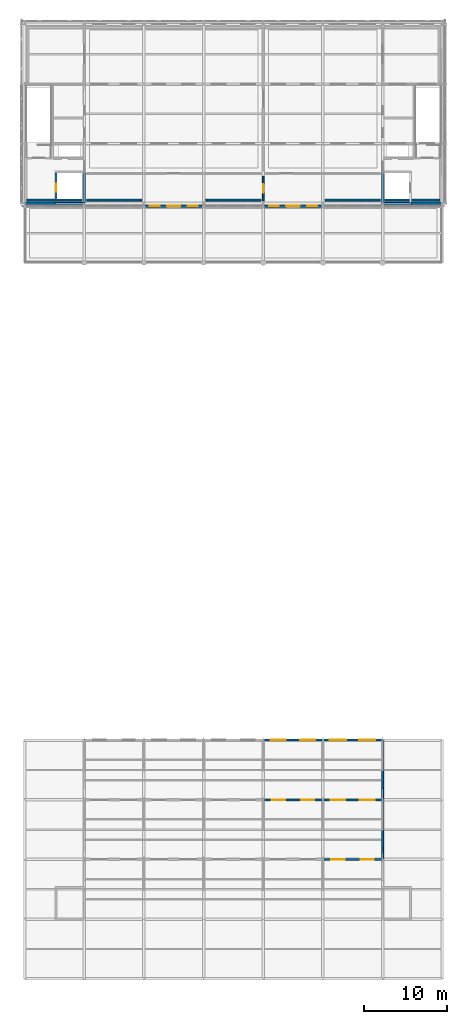
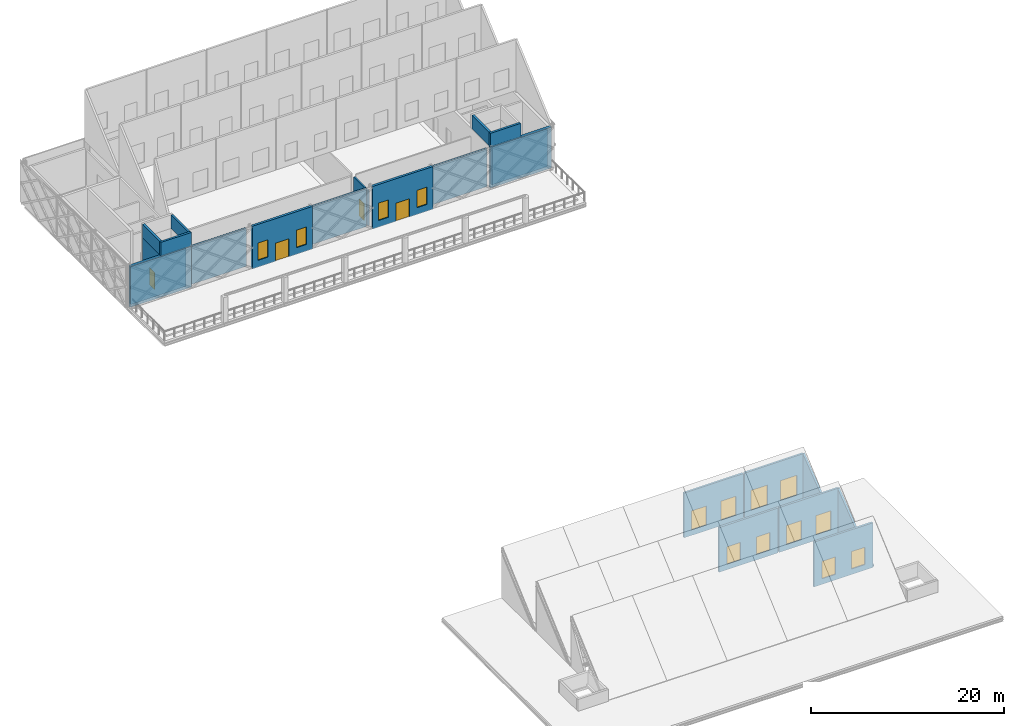
# One storey, part 26 of 31: 23 walls, 14 windows, 4 doors, 18 openings.
"""IFC4 building model written with IfcOpenShell, lengths in metres."""

import ifcopenshell
import ifcopenshell.guid

model = None  # the IFC model being written
_history = None  # IfcOwnerHistory: only IFC2X3 demands one
_inside = {}  # id of a spatial element -> (the spatial element, [elements in it])
_under = {}  # id of a project, library or spatial element -> (it, [spatial elements below it])
_declared = {}  # id of a project -> (the project, [libraries it declares])
_typed = {}  # id of a type object -> (the type object, [elements of that type])
_made_of = {}  # id of a material, layer set ... -> (it, [elements and type objects made of it])


def new_model(schema):
    """Start an empty IFC model of exactly this schema.

    Asked for "IFC4X3", IfcOpenShell would pick the latest addendum, in which some entities
    have other attributes; the version numbers below select the first issue.
    IFC2X3 requires an IfcOwnerHistory on every rooted entity: one is made here for all.
    """
    global model, _history
    if schema == "IFC4X3":
        model = ifcopenshell.file(schema_version=(4, 3, 0, 0))
    else:
        model = ifcopenshell.file(schema=schema)
    _inside.clear()
    _under.clear()
    _declared.clear()
    _typed.clear()
    _made_of.clear()
    _history = None
    if model.schema == "IFC2X3":
        org = make("IfcOrganization", Name="unknown")
        user = make(
            "IfcPersonAndOrganization",
            ThePerson=make("IfcPerson", FamilyName="unknown"),
            TheOrganization=org,
        )
        app = make(
            "IfcApplication",
            ApplicationDeveloper=org,
            Version="unknown",
            ApplicationFullName="unknown",
            ApplicationIdentifier="unknown",
        )
        _history = make(
            "IfcOwnerHistory",
            OwningUser=user,
            OwningApplication=app,
            ChangeAction="ADDED",
            CreationDate=0,
        )
    return model


def make(cls, **values):
    """One entity of the class cls with the attributes given. An attribute that is None is left unset."""
    return model.create_entity(
        cls, **{name: value for name, value in values.items() if value is not None}
    )


def rooted(cls, **values):
    """An entity with a GlobalId (a new one), such as an element, a storey or a relation."""
    return make(cls, GlobalId=ifcopenshell.guid.new(), OwnerHistory=_history, **values)


def si_unit(unit_type, name, prefix=None):
    """IfcSIUnit, for example si_unit("LENGTHUNIT", "METRE", prefix="MILLI")."""
    return make("IfcSIUnit", UnitType=unit_type, Prefix=prefix, Name=name)


def assignment(units):
    """IfcUnitAssignment: the units of a project."""
    return None if units is None else make("IfcUnitAssignment", Units=units)


def point(xyz):
    """IfcCartesianPoint."""
    return None if xyz is None else make("IfcCartesianPoint", Coordinates=xyz)


def direction(xyz):
    """IfcDirection."""
    return None if xyz is None else make("IfcDirection", DirectionRatios=xyz)


def frame(location, z_axis=None, x_axis=None):
    """IfcAxis2Placement3D, a coordinate frame: its origin and axes. An axis left out is left unset."""
    return make(
        "IfcAxis2Placement3D",
        Location=point(location),
        Axis=direction(z_axis),
        RefDirection=direction(x_axis),
    )


def frame_2d(location, x_axis=None):
    """IfcAxis2Placement2D, a coordinate frame in the plane: its origin and x axis."""
    return make(
        "IfcAxis2Placement2D", Location=point(location), RefDirection=direction(x_axis)
    )


def origin():
    """The frame at (0, 0, 0) with its axes left unset."""
    return frame((0.0, 0.0, 0.0))


def place(relative_to, where):
    """IfcLocalPlacement: puts the frame where relative to a parent placement (None: the world)."""
    return make(
        "IfcLocalPlacement", PlacementRelTo=relative_to, RelativePlacement=where
    )


def context(
    kind, dimensions, precision=None, world=None, true_north=None, identifier=None
):
    """IfcGeometricRepresentationContext, for example the 3D "Model" context."""
    return make(
        "IfcGeometricRepresentationContext",
        ContextIdentifier=identifier,
        ContextType=kind,
        CoordinateSpaceDimension=dimensions,
        Precision=precision,
        WorldCoordinateSystem=world,
        TrueNorth=true_north,
    )


def subcontext(parent, identifier, kind, view, scale=None):
    """IfcGeometricRepresentationSubContext, for example "Body" below "Model"."""
    return make(
        "IfcGeometricRepresentationSubContext",
        ContextIdentifier=identifier,
        ContextType=kind,
        ParentContext=parent,
        TargetScale=scale,
        TargetView=view,
    )


def project(units=None, contexts=None):
    """IfcProject with its units and contexts."""
    return rooted(
        "IfcProject",
        Name="project",
        RepresentationContexts=contexts,
        UnitsInContext=assignment(units),
    )


def spatial(cls, under=None, at=None, **own):
    """A site, building, storey or space (cls), placed at a placement, below another one or the project."""
    s = rooted(cls, ObjectPlacement=at, **own)
    if under is not None:
        _under.setdefault(under.id(), (under, []))[1].append(s)
    return s


def polyline(points):
    """IfcPolyline through the points."""
    return make("IfcPolyline", Points=[point(p) for p in points])


def profile(cls, at=None, kind="AREA", **sizes):
    """A parametric profile (cls). Its sizes go by their IFC names, for example OverallWidth=200.0."""
    return make(cls, ProfileType=kind, Position=at, **sizes)


def rectangle(**sizes):
    """IfcRectangleProfileDef."""
    return profile("IfcRectangleProfileDef", **sizes)


def outline(outer, holes=None, kind="AREA"):
    """IfcArbitraryClosedProfileDef: a profile drawn as a closed curve; with holes, ...WithVoids."""
    if holes is None:
        return make("IfcArbitraryClosedProfileDef", ProfileType=kind, OuterCurve=outer)
    return make(
        "IfcArbitraryProfileDefWithVoids",
        ProfileType=kind,
        OuterCurve=outer,
        InnerCurves=holes,
    )


def extrude(swept, where, along, depth):
    """IfcExtrudedAreaSolid: the profile swept, set in the frame where, extruded along a direction by depth."""
    return make(
        "IfcExtrudedAreaSolid",
        SweptArea=swept,
        Position=where,
        ExtrudedDirection=direction(along),
        Depth=depth,
    )


def shape(context_of_items, identifier, shape_type, items):
    """IfcShapeRepresentation: the items that make up one representation, for example the "Body"."""
    return make(
        "IfcShapeRepresentation",
        ContextOfItems=context_of_items,
        RepresentationIdentifier=identifier,
        RepresentationType=shape_type,
        Items=items,
    )


def material(Name=None, Category=None):
    """IfcMaterial."""
    return make("IfcMaterial", Name=Name, Category=Category)


def layer(
    of_material, thickness, ventilated=None, Name=None, Category=None, Priority=None
):
    """IfcMaterialLayer: one layer of a wall or slab, of a material (None: an air gap)."""
    return make(
        "IfcMaterialLayer",
        Material=of_material,
        LayerThickness=thickness,
        IsVentilated=ventilated,
        Name=Name,
        Category=Category,
        Priority=Priority,
    )


def layer_set(layers, Name=None):
    """IfcMaterialLayerSet."""
    return make("IfcMaterialLayerSet", MaterialLayers=layers, LayerSetName=Name)


def made_of(thing, what):
    """Note that an element or type object is made of a material, layer set ...; save() writes the relation."""
    if what is not None:
        _made_of.setdefault(what.id(), (what, []))[1].append(thing)
    return thing


def type_object(cls, material=None, **own):
    """A type object (cls), such as IfcWallType, which elements share."""
    return made_of(rooted(cls, **own), material)


def element(
    cls,
    number,
    at=None,
    inside=None,
    cuts=None,
    type_object=None,
    material=None,
    context=None,
    identifier="Body",
    shape_type=None,
    held_by="IfcProductDefinitionShape",
    body=None,
    shapes=None,
    **own,
):
    """One element of the class cls, such as IfcWall. Its Tag is "e" and its number.

    at: its placement. inside: the storey or other place that contains it. cuts: it is an
    opening in that element (IfcRelVoidsElement). A single representation is given by context,
    identifier, shape_type and body (its items); several are given by shapes. held_by: the class
    of the entity that holds the representations. save() writes the other relations.
    """
    e = rooted(cls, Tag="e%d" % number, ObjectPlacement=at, **own)
    if body is not None:
        shapes = [shape(context, identifier, shape_type, body)]
    if shapes is not None:
        e.Representation = make(held_by, Representations=shapes)
    if inside is not None:
        _inside.setdefault(inside.id(), (inside, []))[1].append(e)
    if cuts is not None:
        rooted(
            "IfcRelVoidsElement", RelatingBuildingElement=cuts, RelatedOpeningElement=e
        )
    if type_object is not None:
        _typed.setdefault(type_object.id(), (type_object, []))[1].append(e)
    return made_of(e, material)


def fill(opening, filler):
    """IfcRelFillsElement: the door or window that sits in an opening."""
    return rooted(
        "IfcRelFillsElement",
        RelatingOpeningElement=opening,
        RelatedBuildingElement=filler,
    )


def aggregate(whole, parts):
    """IfcRelAggregates: a whole, such as a stair, and the parts it consists of."""
    return rooted("IfcRelAggregates", RelatingObject=whole, RelatedObjects=parts)


def save(model, path):
    """Write the relations noted so far, then the file.

    IfcRelAggregates (storeys below a building ...), IfcRelContainedInSpatialStructure (elements
    in a storey), IfcRelDefinesByType, IfcRelAssociatesMaterial and IfcRelDeclares: one each for
    every whole, place, type object, material and project.
    """
    for whole, parts in _under.values():
        aggregate(whole, parts)
    for where, things in _inside.values():
        rooted(
            "IfcRelContainedInSpatialStructure",
            RelatedElements=things,
            RelatingStructure=where,
        )
    for kind, things in _typed.values():
        rooted("IfcRelDefinesByType", RelatedObjects=things, RelatingType=kind)
    for what, things in _made_of.values():
        rooted("IfcRelAssociatesMaterial", RelatedObjects=things, RelatingMaterial=what)
    for by, libraries in _declared.values():
        rooted("IfcRelDeclares", RelatingContext=by, RelatedDefinitions=libraries)
    model.write(path)


model = new_model("IFC4")

# Units and contexts
model_context = context("Model", 3, precision=1e-05, world=origin(), true_north=direction((0.0, 1.0)))
body_context = subcontext(model_context, "Body", "Model", "MODEL_VIEW")
ifc_project = project(units=[si_unit("LENGTHUNIT", "METRE"), si_unit("AREAUNIT", "SQUARE_METRE"), si_unit("VOLUMEUNIT", "CUBIC_METRE"), si_unit("PLANEANGLEUNIT", "RADIAN"), si_unit("MASSUNIT", "GRAM", prefix="KILO")], contexts=[model_context])

# Site, building, storey
site_placement = place(None, origin())
site = spatial("IfcSite", under=ifc_project, at=site_placement, CompositionType="ELEMENT")
building_placement = place(site_placement, origin())
building = spatial("IfcBuilding", under=site, at=building_placement, Name="Zlatovets Crest Museum", CompositionType="ELEMENT")
storey_placement = place(building_placement, frame((0.0, 0.0, 25.199951171875)))
storey = spatial("IfcBuildingStorey", under=building, at=storey_placement, Name="L05", CompositionType="ELEMENT", Elevation=25.199951171875)

# Walls
ifc_material_1 = material(Name="Concrete C35/45", Category="concrete")
ifc_layer_1 = layer(ifc_material_1, 0.300048828125)
ifc_layer_set_1 = layer_set([ifc_layer_1], Name="Concrete C35/45")
wall_type_1 = type_object("IfcWallType", Name="CoreWall_SW01", PredefinedType="SHEAR", material=ifc_layer_set_1)
wall_1_placement = place(storey_placement, frame((57.60009765625, 93.60009765625, 0.0), z_axis=(0.0, 0.0, 1.0), x_axis=(1.0, 0.0, 0.0)))
element("IfcWall", 1, at=wall_1_placement, inside=storey, type_object=wall_type_1, Name="Core C1 L05 South Shear Wall", PredefinedType="SHEAR", context=body_context, shape_type="SweptSolid", body=[
    extrude(rectangle(XDim=7.349853515625, YDim=0.300048828125, at=frame_2d((3.6748046875, 0.0))), origin(), (0.0, 0.0, 1.0), 5.179931640625),
])
wall_2_placement = place(storey_placement, frame((100.64990234375, 93.60009765625, 0.0), z_axis=(0.0, 0.0, 1.0), x_axis=(1.0, 0.0, 0.0)))
element("IfcWall", 2, at=wall_2_placement, inside=storey, type_object=wall_type_1, Name="Core C6 L05 South Shear Wall", PredefinedType="SHEAR", context=body_context, shape_type="SweptSolid", body=[
    extrude(rectangle(XDim=7.35009765625, YDim=0.300048828125, at=frame_2d((3.675048828125, 0.0))), origin(), (0.0, 0.0, 1.0), 5.179931640625),
])

# Wall, opening, door
ifc_layer_2 = layer(ifc_material_1, 0.25)
ifc_layer_set_2 = layer_set([ifc_layer_2], Name="Concrete C35/45")
wall_type_2 = type_object("IfcWallType", Name="CoreWall_SW02", PredefinedType="SHEAR", material=ifc_layer_set_2)
wall_3_placement = place(storey_placement, frame((61.39990234375, 93.75, 0.0), z_axis=(0.0, 0.0, 1.0), x_axis=(0.0, 1.0, 0.0)))
wall_3 = element("IfcWall", 3, at=wall_3_placement, inside=storey, type_object=wall_type_2, Name="Core C1 L05 Lift Shaft Wall", PredefinedType="SHEAR", context=body_context, shape_type="SweptSolid", body=[
    extrude(rectangle(XDim=3.52490234375, YDim=0.25, at=frame_2d((1.762451171875, 0.0))), origin(), (0.0, 0.0, 1.0), 5.179931640625),
])
opening_1_placement = place(wall_3_placement, frame((1.199951171875, 0.0, 0.0)))
opening_1 = element("IfcOpeningElement", 4, at=opening_1_placement, cuts=wall_3, Name="Opening LD-01", PredefinedType="OPENING", context=body_context, shape_type="SweptSolid", body=[
    extrude(rectangle(XDim=1.10009765625, YDim=2.14990234375, at=frame_2d((0.550048828125, 1.074951171875))), frame((0.0, 0.135009765625, 0.0), z_axis=(0.0, -1.0, 0.0), x_axis=(1.0, 0.0, 0.0)), (0.0, 0.0, 1.0), 0.27001953125),
])
ifc_material_2 = material(Name="Stainless-bronze sliding lift landing door")
door_type_1 = type_object("IfcDoorType", Name="IntDoor_LD-01", OperationType="SLIDING_TO_LEFT", PredefinedType="DOOR", material=ifc_material_2)
door_1_placement = place(opening_1_placement, origin())
door_1 = element("IfcDoor", 5, at=door_1_placement, inside=storey, type_object=door_type_1, Name="LDOOR-FL1-L05 Lift FL1 L05 Sliding Landing Door", OperationType="SLIDING_TO_LEFT", OverallHeight=2.14990234375, OverallWidth=1.10009765625, PredefinedType="DOOR", context=body_context, shape_type="SweptSolid", body=[
    extrude(rectangle(XDim=1.10009765625, YDim=2.14990234375, at=frame_2d((0.550048828125, 1.074951171875))), frame((0.0, 0.02490234375, 0.0), z_axis=(0.0, -1.0, 0.0), x_axis=(1.0, 0.0, 0.0)), (0.0, 0.0, 1.0), 0.050048828125),
])
fill(opening_1, door_1)

# Walls
wall_4_placement = place(storey_placement, frame((61.27490234375, 93.60009765625, 5.179931640625), z_axis=(0.0, 0.0, 1.0), x_axis=(1.0, 0.0, 0.0)))
element("IfcWall", 6, at=wall_4_placement, inside=storey, type_object=wall_type_2, Name="Lift FL1 Overrun Wall S", PredefinedType="SHEAR", context=body_context, shape_type="SweptSolid", body=[
    extrude(rectangle(XDim=3.650146484375, YDim=0.25, at=frame_2d((1.8251953125, 0.0))), origin(), (0.0, 0.0, 1.0), 1.72021484375),
])
for number, where, z_axis, x_axis, name in (
    (7, (64.800048828125, 93.72509765625, 5.179931640625), (0.0, 0.0, 1.0), (0.0, 1.0, 0.0), "Lift FL1 Overrun Wall E"),
    (8, (61.39990234375, 97.27490234375, 5.179931640625), (0.0, 0.0, 1.0), (0.0, -1.0, 0.0), "Lift FL1 Overrun Wall W"),
):
    element("IfcWall", number, at=place(storey_placement, frame(where, z_axis=z_axis, x_axis=x_axis)), inside=storey, type_object=wall_type_2, Name=name, PredefinedType="SHEAR", context=body_context, shape_type="SweptSolid", body=[
        extrude(rectangle(XDim=3.5498046875, YDim=0.25, at=frame_2d((1.77490234375, 0.0))), origin(), (0.0, 0.0, 1.0), 1.72021484375),
    ])
wall_5_placement = place(storey_placement, frame((100.675048828125, 93.60009765625, 5.179931640625), z_axis=(0.0, 0.0, 1.0), x_axis=(1.0, 0.0, 0.0)))
element("IfcWall", 9, at=wall_5_placement, inside=storey, type_object=wall_type_2, Name="Lift FL2 Overrun Wall S", PredefinedType="SHEAR", context=body_context, shape_type="SweptSolid", body=[
    extrude(rectangle(XDim=3.64990234375, YDim=0.25, at=frame_2d((1.824951171875, 0.0))), origin(), (0.0, 0.0, 1.0), 1.72021484375),
])
wall_6_placement = place(storey_placement, frame((100.800048828125, 97.27490234375, 5.179931640625), z_axis=(0.0, 0.0, 1.0), x_axis=(0.0, -1.0, 0.0)))
element("IfcWall", 10, at=wall_6_placement, inside=storey, type_object=wall_type_2, Name="Lift FL2 Overrun Wall W", PredefinedType="SHEAR", context=body_context, shape_type="SweptSolid", body=[
    extrude(rectangle(XDim=3.5498046875, YDim=0.25, at=frame_2d((1.77490234375, 0.0))), origin(), (0.0, 0.0, 1.0), 1.72021484375),
])
ifc_material_3 = material(Name="Insulated gallery conservation liner wall", Category="concrete")
ifc_layer_3 = layer(ifc_material_3, 0.300048828125)
ifc_layer_set_3 = layer_set([ifc_layer_3], Name="Insulated gallery conservation liner wall")
wall_type_3 = type_object("IfcWallType", Name="ExtWall_EW-02", PredefinedType="STANDARD", material=ifc_layer_set_3)
wall_7_placement = place(storey_placement, frame((57.8798828125, 93.97998046875, 0.0), z_axis=(0.0, 0.0, 1.0), x_axis=(1.0, 0.0, 0.0)))
element("IfcWall", 11, at=wall_7_placement, inside=storey, type_object=wall_type_3, Name="V1 L05 Interior Conservation Gallery Liner Wall", PredefinedType="STANDARD", context=body_context, shape_type="SweptSolid", body=[
    extrude(rectangle(XDim=6.64013671875, YDim=0.239990234375, at=frame_2d((3.320068359375, 0.0))), origin(), (0.0, 0.0, 1.0), 4.780029296875),
])
wall_8_placement = place(storey_placement, frame((65.080078125, 93.97998046875, 0.0), z_axis=(0.0, 0.0, 1.0), x_axis=(1.0, 0.0, 0.0)))
element("IfcWall", 12, at=wall_8_placement, inside=storey, type_object=wall_type_3, Name="V1 L05 Interior Conservation Gallery Liner Wall", PredefinedType="STANDARD", context=body_context, shape_type="SweptSolid", body=[
    extrude(rectangle(XDim=6.639892578125, YDim=0.239990234375, at=frame_2d((3.31982421875, 0.0))), origin(), (0.0, 0.0, 1.0), 4.780029296875),
])
for number, where, z_axis, x_axis, name in (
    (13, (79.47998046875, 93.97998046875, 0.0), (0.0, 0.0, 1.0), (1.0, 0.0, 0.0), "V1 L05 Interior Conservation Gallery Liner Wall"),
    (14, (93.8798828125, 93.97998046875, 0.0), (0.0, 0.0, 1.0), (1.0, 0.0, 0.0), "V1 L05 Interior Conservation Gallery Liner Wall"),
):
    element("IfcWall", number, at=place(storey_placement, frame(where, z_axis=z_axis, x_axis=x_axis)), inside=storey, type_object=wall_type_3, Name=name, PredefinedType="STANDARD", context=body_context, shape_type="SweptSolid", body=[
        extrude(rectangle(XDim=6.64013671875, YDim=0.239990234375, at=frame_2d((3.320068359375, 0.0))), origin(), (0.0, 0.0, 1.0), 4.780029296875),
    ])
wall_9_placement = place(storey_placement, frame((101.080078125, 93.97998046875, 0.0), z_axis=(0.0, 0.0, 1.0), x_axis=(1.0, 0.0, 0.0)))
element("IfcWall", 15, at=wall_9_placement, inside=storey, type_object=wall_type_3, Name="V1 L05 Interior Conservation Gallery Liner Wall", PredefinedType="STANDARD", context=body_context, shape_type="SweptSolid", body=[
    extrude(rectangle(XDim=6.639892578125, YDim=0.239990234375, at=frame_2d((3.31982421875, 0.0))), origin(), (0.0, 0.0, 1.0), 4.780029296875),
])

# Wall, openings, door, windows
ifc_material_4 = material(Name="Polychrome majolica ceramic spandrel wall", Category="masonry")
ifc_layer_4 = layer(ifc_material_4, 0.280029296875)
ifc_layer_set_4 = layer_set([ifc_layer_4], Name="Polychrome majolica ceramic spandrel wall")
wall_type_4 = type_object("IfcWallType", Name="ExtWall_EW-03", PredefinedType="STANDARD", material=ifc_layer_set_4)
wall_10_placement = place(storey_placement, frame((72.0, 93.260009765625, 0.0), z_axis=(0.0, 0.0, 1.0), x_axis=(1.0, 0.0, 0.0)))
wall_10 = element("IfcWall", 16, at=wall_10_placement, inside=storey, type_object=wall_type_4, Name="V1 L05 Terrace Access Wall", PredefinedType="STANDARD", context=body_context, shape_type="SweptSolid", body=[
    extrude(rectangle(XDim=7.199951171875, YDim=0.280029296875, at=frame_2d((3.60009765625, 0.0))), origin(), (0.0, 0.0, 1.0), 5.400146484375),
])
opening_2_placement = place(wall_10_placement, frame((2.800048828125, 0.0, 0.0)))
opening_2 = element("IfcOpeningElement", 17, at=opening_2_placement, cuts=wall_10, Name="Opening TD-02", PredefinedType="OPENING", context=body_context, shape_type="SweptSolid", body=[
    extrude(rectangle(XDim=1.60009765625, YDim=2.300048828125, at=frame_2d((0.800048828125, 1.14990234375))), frame((0.0, 0.14990234375, 0.0), z_axis=(0.0, -1.0, 0.0), x_axis=(1.0, 0.0, 0.0)), (0.0, 0.0, 1.0), 0.300048828125),
])
opening_3_placement = place(wall_10_placement, frame((0.699951171875, 0.0, 0.85009765625)))
opening_3 = element("IfcOpeningElement", 18, at=opening_3_placement, cuts=wall_10, Name="Opening WN-01", PredefinedType="OPENING", context=body_context, shape_type="SweptSolid", body=[
    extrude(rectangle(XDim=1.199951171875, YDim=2.199951171875, at=frame_2d((0.60009765625, 1.10009765625))), frame((0.0, 0.14990234375, 0.0), z_axis=(0.0, -1.0, 0.0), x_axis=(1.0, 0.0, 0.0)), (0.0, 0.0, 1.0), 0.300048828125),
])
opening_4_placement = place(wall_10_placement, frame((5.300048828125, 0.0, 0.85009765625)))
opening_4 = element("IfcOpeningElement", 19, at=opening_4_placement, cuts=wall_10, Name="Opening WN-01", PredefinedType="OPENING", context=body_context, shape_type="SweptSolid", body=[
    extrude(rectangle(XDim=1.199951171875, YDim=2.199951171875, at=frame_2d((0.60009765625, 1.10009765625))), frame((0.0, 0.14990234375, 0.0), z_axis=(0.0, -1.0, 0.0), x_axis=(1.0, 0.0, 0.0)), (0.0, 0.0, 1.0), 0.300048828125),
])
ifc_material_5 = material(Name="Bronze-clad insulated steel door", Category="steel")
door_type_2 = type_object("IfcDoorType", Name="ExtDoor_TD-02", OperationType="NOTDEFINED", PredefinedType="DOOR", material=ifc_material_5)
door_2_placement = place(opening_2_placement, origin())
door_2 = element("IfcDoor", 20, at=door_2_placement, inside=storey, type_object=door_type_2, Name="TD-V1-L05-010 V1 L05 Roof Terrace Door", OperationType="DOUBLE_DOOR_SINGLE_SWING", OverallHeight=2.300048828125, OverallWidth=1.60009765625, PredefinedType="DOOR", context=body_context, shape_type="SweptSolid", body=[
    extrude(rectangle(XDim=1.60009765625, YDim=2.300048828125, at=frame_2d((0.800048828125, 1.14990234375))), frame((0.0, 0.02490234375, 0.0), z_axis=(0.0, -1.0, 0.0), x_axis=(1.0, 0.0, 0.0)), (0.0, 0.0, 1.0), 0.050048828125),
])
fill(opening_2, door_2)
ifc_material_6 = material(Name="Bronze-anodised aluminium frame with low-E triple glass", Category="aluminium")
window_type_1 = type_object("IfcWindowType", Name="Win_WN-01", PartitioningType="SINGLE_PANEL", PredefinedType="WINDOW", material=ifc_material_6)
window_1_placement = place(opening_3_placement, origin())
window_1 = element("IfcWindow", 21, at=window_1_placement, inside=storey, type_object=window_type_1, Name="V1 L05 Terrace Glazed Sidelight", OverallHeight=2.199951171875, OverallWidth=1.199951171875, PartitioningType="SINGLE_PANEL", PredefinedType="WINDOW", context=body_context, shape_type="SweptSolid", body=[
    extrude(rectangle(XDim=1.199951171875, YDim=2.199951171875, at=frame_2d((0.60009765625, 1.10009765625))), frame((0.0, 0.030029296875, 0.0), z_axis=(0.0, -1.0, 0.0), x_axis=(1.0, 0.0, 0.0)), (0.0, 0.0, 1.0), 0.06005859375),
])
fill(opening_3, window_1)
window_2_placement = place(opening_4_placement, origin())
window_2 = element("IfcWindow", 22, at=window_2_placement, inside=storey, type_object=window_type_1, Name="V1 L05 Terrace Glazed Sidelight", OverallHeight=2.199951171875, OverallWidth=1.199951171875, PartitioningType="SINGLE_PANEL", PredefinedType="WINDOW", context=body_context, shape_type="SweptSolid", body=[
    extrude(rectangle(XDim=1.199951171875, YDim=2.199951171875, at=frame_2d((0.60009765625, 1.10009765625))), frame((0.0, 0.030029296875, 0.0), z_axis=(0.0, -1.0, 0.0), x_axis=(1.0, 0.0, 0.0)), (0.0, 0.0, 1.0), 0.06005859375),
])
fill(opening_4, window_2)

wall_11_placement = place(storey_placement, frame((86.39990234375, 93.260009765625, 0.0), z_axis=(0.0, 0.0, 1.0), x_axis=(1.0, 0.0, 0.0)))
wall_11 = element("IfcWall", 23, at=wall_11_placement, inside=storey, type_object=wall_type_4, Name="V1 L05 Terrace Access Wall", PredefinedType="STANDARD", context=body_context, shape_type="SweptSolid", body=[
    extrude(rectangle(XDim=7.2001953125, YDim=0.280029296875, at=frame_2d((3.60009765625, 0.0))), origin(), (0.0, 0.0, 1.0), 5.400146484375),
])
opening_5_placement = place(wall_11_placement, frame((2.800048828125, 0.0, 0.0)))
opening_5 = element("IfcOpeningElement", 24, at=opening_5_placement, cuts=wall_11, Name="Opening TD-02", PredefinedType="OPENING", context=body_context, shape_type="SweptSolid", body=[
    extrude(rectangle(XDim=1.60009765625, YDim=2.300048828125, at=frame_2d((0.800048828125, 1.14990234375))), frame((0.0, 0.14990234375, 0.0), z_axis=(0.0, -1.0, 0.0), x_axis=(1.0, 0.0, 0.0)), (0.0, 0.0, 1.0), 0.300048828125),
])
opening_6_placement = place(wall_11_placement, frame((0.699951171875, 0.0, 0.85009765625)))
opening_6 = element("IfcOpeningElement", 25, at=opening_6_placement, cuts=wall_11, Name="Opening WN-01", PredefinedType="OPENING", context=body_context, shape_type="SweptSolid", body=[
    extrude(rectangle(XDim=1.199951171875, YDim=2.199951171875, at=frame_2d((0.60009765625, 1.10009765625))), frame((0.0, 0.14990234375, 0.0), z_axis=(0.0, -1.0, 0.0), x_axis=(1.0, 0.0, 0.0)), (0.0, 0.0, 1.0), 0.300048828125),
])
opening_7_placement = place(wall_11_placement, frame((5.300048828125, 0.0, 0.85009765625)))
opening_7 = element("IfcOpeningElement", 26, at=opening_7_placement, cuts=wall_11, Name="Opening WN-01", PredefinedType="OPENING", context=body_context, shape_type="SweptSolid", body=[
    extrude(rectangle(XDim=1.199951171875, YDim=2.199951171875, at=frame_2d((0.60009765625, 1.10009765625))), frame((0.0, 0.14990234375, 0.0), z_axis=(0.0, -1.0, 0.0), x_axis=(1.0, 0.0, 0.0)), (0.0, 0.0, 1.0), 0.300048828125),
])
door_3_placement = place(opening_5_placement, origin())
door_3 = element("IfcDoor", 27, at=door_3_placement, inside=storey, type_object=door_type_2, Name="TD-V1-L05-011 V1 L05 Roof Terrace Door", OperationType="DOUBLE_DOOR_SINGLE_SWING", OverallHeight=2.300048828125, OverallWidth=1.60009765625, PredefinedType="DOOR", context=body_context, shape_type="SweptSolid", body=[
    extrude(rectangle(XDim=1.60009765625, YDim=2.300048828125, at=frame_2d((0.800048828125, 1.14990234375))), frame((0.0, 0.02490234375, 0.0), z_axis=(0.0, -1.0, 0.0), x_axis=(1.0, 0.0, 0.0)), (0.0, 0.0, 1.0), 0.050048828125),
])
fill(opening_5, door_3)
window_3_placement = place(opening_6_placement, origin())
window_3 = element("IfcWindow", 28, at=window_3_placement, inside=storey, type_object=window_type_1, Name="V1 L05 Terrace Glazed Sidelight", OverallHeight=2.199951171875, OverallWidth=1.199951171875, PartitioningType="SINGLE_PANEL", PredefinedType="WINDOW", context=body_context, shape_type="SweptSolid", body=[
    extrude(rectangle(XDim=1.199951171875, YDim=2.199951171875, at=frame_2d((0.60009765625, 1.10009765625))), frame((0.0, 0.030029296875, 0.0), z_axis=(0.0, -1.0, 0.0), x_axis=(1.0, 0.0, 0.0)), (0.0, 0.0, 1.0), 0.06005859375),
])
fill(opening_6, window_3)
window_4_placement = place(opening_7_placement, origin())
window_4 = element("IfcWindow", 29, at=window_4_placement, inside=storey, type_object=window_type_1, Name="V1 L05 Terrace Glazed Sidelight", OverallHeight=2.199951171875, OverallWidth=1.199951171875, PartitioningType="SINGLE_PANEL", PredefinedType="WINDOW", context=body_context, shape_type="SweptSolid", body=[
    extrude(rectangle(XDim=1.199951171875, YDim=2.199951171875, at=frame_2d((0.60009765625, 1.10009765625))), frame((0.0, 0.030029296875, 0.0), z_axis=(0.0, -1.0, 0.0), x_axis=(1.0, 0.0, 0.0)), (0.0, 0.0, 1.0), 0.06005859375),
])
fill(opening_7, window_4)

# Wall, openings, windows
ifc_material_7 = material(Name="Copper-zinc insulated clerestory and vault tympanum wall", Category="steel")
ifc_layer_5 = layer(ifc_material_7, 0.260009765625)
ifc_layer_set_5 = layer_set([ifc_layer_5], Name="Copper-zinc insulated clerestory and vault tympanum wall")
wall_type_5 = type_object("IfcWallType", Name="ExtWall_EW-04", PredefinedType="STANDARD", material=ifc_layer_set_5)
wall_12_placement = place(storey_placement, frame((100.739990234375, 14.39990234375, 0.02001953125), z_axis=(0.0, 0.0, 1.0), x_axis=(-1.0, 0.0, 0.0)))
wall_12 = element("IfcWall", 30, at=wall_12_placement, inside=storey, type_object=wall_type_5, Name="V2 Tooth 1 North-Light Clerestory Wall Bay 5", PredefinedType="STANDARD", context=body_context, shape_type="SweptSolid", body=[
    extrude(rectangle(XDim=7.080078125, YDim=0.239990234375, at=frame_2d((3.5400390625, 0.0))), origin(), (0.0, 0.0, 1.0), 5.659912109375),
])
opening_8_placement = place(wall_12_placement, frame((0.969970703125, 0.0, 0.699951171875)))
opening_8 = element("IfcOpeningElement", 31, at=opening_8_placement, cuts=wall_12, Name="Opening RL-NL1", PredefinedType="OPENING", context=body_context, shape_type="SweptSolid", body=[
    extrude(rectangle(XDim=1.60009765625, YDim=2.199951171875, at=frame_2d((0.800048828125, 1.10009765625))), frame((0.0, 0.1298828125, 0.0), z_axis=(0.0, -1.0, 0.0), x_axis=(1.0, 0.0, 0.0)), (0.0, 0.0, 1.0), 0.260009765625),
])
opening_9_placement = place(wall_12_placement, frame((4.510009765625, 0.0, 0.699951171875)))
opening_9 = element("IfcOpeningElement", 32, at=opening_9_placement, cuts=wall_12, Name="Opening RL-NL1", PredefinedType="OPENING", context=body_context, shape_type="SweptSolid", body=[
    extrude(rectangle(XDim=1.60009765625, YDim=2.199951171875, at=frame_2d((0.800048828125, 1.10009765625))), frame((0.0, 0.1298828125, 0.0), z_axis=(0.0, -1.0, 0.0), x_axis=(1.0, 0.0, 0.0)), (0.0, 0.0, 1.0), 0.260009765625),
])
window_type_2 = type_object("IfcWindowType", Name="Win_RL-NL1", PartitioningType="SINGLE_PANEL", PredefinedType="SKYLIGHT", material=ifc_material_6)
window_5_placement = place(opening_8_placement, origin())
window_5 = element("IfcWindow", 33, at=window_5_placement, inside=storey, type_object=window_type_2, Name="Rooflight V2 Tooth 1 Bay 5.1", OverallHeight=2.199951171875, OverallWidth=1.60009765625, PartitioningType="SINGLE_PANEL", PredefinedType="SKYLIGHT", context=body_context, shape_type="SweptSolid", body=[
    extrude(rectangle(XDim=1.60009765625, YDim=2.199951171875, at=frame_2d((0.800048828125, 1.10009765625))), frame((0.0, 0.030029296875, 0.0), z_axis=(0.0, -1.0, 0.0), x_axis=(1.0, 0.0, 0.0)), (0.0, 0.0, 1.0), 0.06005859375),
])
fill(opening_8, window_5)
window_6_placement = place(opening_9_placement, origin())
window_6 = element("IfcWindow", 34, at=window_6_placement, inside=storey, type_object=window_type_2, Name="Rooflight V2 Tooth 1 Bay 5.2", OverallHeight=2.199951171875, OverallWidth=1.60009765625, PartitioningType="SINGLE_PANEL", PredefinedType="SKYLIGHT", context=body_context, shape_type="SweptSolid", body=[
    extrude(rectangle(XDim=1.60009765625, YDim=2.199951171875, at=frame_2d((0.800048828125, 1.10009765625))), frame((0.0, 0.030029296875, 0.0), z_axis=(0.0, -1.0, 0.0), x_axis=(1.0, 0.0, 0.0)), (0.0, 0.0, 1.0), 0.06005859375),
])
fill(opening_9, window_6)

wall_13_placement = place(storey_placement, frame((93.5400390625, 21.60009765625, 0.02001953125), z_axis=(0.0, 0.0, 1.0), x_axis=(-1.0, 0.0, 0.0)))
wall_13 = element("IfcWall", 35, at=wall_13_placement, inside=storey, type_object=wall_type_5, Name="V2 Tooth 2 North-Light Clerestory Wall Bay 4", PredefinedType="STANDARD", context=body_context, shape_type="SweptSolid", body=[
    extrude(rectangle(XDim=7.080078125, YDim=0.239990234375, at=frame_2d((3.5400390625, 0.0))), origin(), (0.0, 0.0, 1.0), 5.659912109375),
])
opening_10_placement = place(wall_13_placement, frame((0.969970703125, 0.0, 0.699951171875)))
opening_10 = element("IfcOpeningElement", 36, at=opening_10_placement, cuts=wall_13, Name="Opening RL-NL1", PredefinedType="OPENING", context=body_context, shape_type="SweptSolid", body=[
    extrude(rectangle(XDim=1.60009765625, YDim=2.199951171875, at=frame_2d((0.800048828125, 1.10009765625))), frame((0.0, 0.1298828125, 0.0), z_axis=(0.0, -1.0, 0.0), x_axis=(1.0, 0.0, 0.0)), (0.0, 0.0, 1.0), 0.260009765625),
])
opening_11_placement = place(wall_13_placement, frame((4.510009765625, 0.0, 0.699951171875)))
opening_11 = element("IfcOpeningElement", 37, at=opening_11_placement, cuts=wall_13, Name="Opening RL-NL1", PredefinedType="OPENING", context=body_context, shape_type="SweptSolid", body=[
    extrude(rectangle(XDim=1.60009765625, YDim=2.199951171875, at=frame_2d((0.800048828125, 1.10009765625))), frame((0.0, 0.1298828125, 0.0), z_axis=(0.0, -1.0, 0.0), x_axis=(1.0, 0.0, 0.0)), (0.0, 0.0, 1.0), 0.260009765625),
])
window_7_placement = place(opening_10_placement, origin())
window_7 = element("IfcWindow", 38, at=window_7_placement, inside=storey, type_object=window_type_2, Name="Rooflight V2 Tooth 2 Bay 4.1", OverallHeight=2.199951171875, OverallWidth=1.60009765625, PartitioningType="SINGLE_PANEL", PredefinedType="SKYLIGHT", context=body_context, shape_type="SweptSolid", body=[
    extrude(rectangle(XDim=1.60009765625, YDim=2.199951171875, at=frame_2d((0.800048828125, 1.10009765625))), frame((0.0, 0.030029296875, 0.0), z_axis=(0.0, -1.0, 0.0), x_axis=(1.0, 0.0, 0.0)), (0.0, 0.0, 1.0), 0.06005859375),
])
fill(opening_10, window_7)
window_8_placement = place(opening_11_placement, origin())
window_8 = element("IfcWindow", 39, at=window_8_placement, inside=storey, type_object=window_type_2, Name="Rooflight V2 Tooth 2 Bay 4.2", OverallHeight=2.199951171875, OverallWidth=1.60009765625, PartitioningType="SINGLE_PANEL", PredefinedType="SKYLIGHT", context=body_context, shape_type="SweptSolid", body=[
    extrude(rectangle(XDim=1.60009765625, YDim=2.199951171875, at=frame_2d((0.800048828125, 1.10009765625))), frame((0.0, 0.030029296875, 0.0), z_axis=(0.0, -1.0, 0.0), x_axis=(1.0, 0.0, 0.0)), (0.0, 0.0, 1.0), 0.06005859375),
])
fill(opening_11, window_8)

wall_14_placement = place(storey_placement, frame((100.739990234375, 21.60009765625, 0.02001953125), z_axis=(0.0, 0.0, 1.0), x_axis=(-1.0, 0.0, 0.0)))
wall_14 = element("IfcWall", 40, at=wall_14_placement, inside=storey, type_object=wall_type_5, Name="V2 Tooth 2 North-Light Clerestory Wall Bay 5", PredefinedType="STANDARD", context=body_context, shape_type="SweptSolid", body=[
    extrude(rectangle(XDim=7.080078125, YDim=0.239990234375, at=frame_2d((3.5400390625, 0.0))), origin(), (0.0, 0.0, 1.0), 5.659912109375),
])
opening_12_placement = place(wall_14_placement, frame((0.8701171875, 0.0, 0.699951171875)))
opening_12 = element("IfcOpeningElement", 41, at=opening_12_placement, cuts=wall_14, Name="Opening RL-NL2", PredefinedType="OPENING", context=body_context, shape_type="SweptSolid", body=[
    extrude(rectangle(XDim=1.800048828125, YDim=2.39990234375, at=frame_2d((0.89990234375, 1.199951171875))), frame((0.0, 0.1298828125, 0.0), z_axis=(0.0, -1.0, 0.0), x_axis=(1.0, 0.0, 0.0)), (0.0, 0.0, 1.0), 0.260009765625),
])
opening_13_placement = place(wall_14_placement, frame((4.409912109375, 0.0, 0.699951171875)))
opening_13 = element("IfcOpeningElement", 42, at=opening_13_placement, cuts=wall_14, Name="Opening RL-NL2", PredefinedType="OPENING", context=body_context, shape_type="SweptSolid", body=[
    extrude(rectangle(XDim=1.800048828125, YDim=2.39990234375, at=frame_2d((0.89990234375, 1.199951171875))), frame((0.0, 0.1298828125, 0.0), z_axis=(0.0, -1.0, 0.0), x_axis=(1.0, 0.0, 0.0)), (0.0, 0.0, 1.0), 0.260009765625),
])
window_type_3 = type_object("IfcWindowType", Name="Win_RL-NL2", PartitioningType="SINGLE_PANEL", PredefinedType="SKYLIGHT", material=ifc_material_6)
window_9_placement = place(opening_12_placement, origin())
window_9 = element("IfcWindow", 43, at=window_9_placement, inside=storey, type_object=window_type_3, Name="Rooflight V2 Tooth 2 Bay 5.1", OverallHeight=2.39990234375, OverallWidth=1.800048828125, PartitioningType="SINGLE_PANEL", PredefinedType="SKYLIGHT", context=body_context, shape_type="SweptSolid", body=[
    extrude(rectangle(XDim=1.800048828125, YDim=2.39990234375, at=frame_2d((0.89990234375, 1.199951171875))), frame((0.0, 0.030029296875, 0.0), z_axis=(0.0, -1.0, 0.0), x_axis=(1.0, 0.0, 0.0)), (0.0, 0.0, 1.0), 0.06005859375),
])
fill(opening_12, window_9)
window_10_placement = place(opening_13_placement, origin())
window_10 = element("IfcWindow", 44, at=window_10_placement, inside=storey, type_object=window_type_3, Name="Rooflight V2 Tooth 2 Bay 5.2", OverallHeight=2.39990234375, OverallWidth=1.800048828125, PartitioningType="SINGLE_PANEL", PredefinedType="SKYLIGHT", context=body_context, shape_type="SweptSolid", body=[
    extrude(rectangle(XDim=1.800048828125, YDim=2.39990234375, at=frame_2d((0.89990234375, 1.199951171875))), frame((0.0, 0.030029296875, 0.0), z_axis=(0.0, -1.0, 0.0), x_axis=(1.0, 0.0, 0.0)), (0.0, 0.0, 1.0), 0.06005859375),
])
fill(opening_13, window_10)

# Wall
wall_15_placement = place(storey_placement, frame((100.800048828125, 14.39990234375, 0.02001953125), z_axis=(0.0, 0.0, 1.0), x_axis=(0.0, 1.0, 0.0)))
element("IfcWall", 45, at=wall_15_placement, inside=storey, type_object=wall_type_5, Name="V2 Sawtooth Tooth 2 E Gable Wall", PredefinedType="STANDARD", context=body_context, shape_type="SweptSolid", body=[
    extrude(outline(polyline([(0.0, 0.0), (7.2001953125, 0.0), (7.199951171875, 5.659912109375), (0.0, 0.130126953125), (0.0, 0.0)])), frame((0.0, 0.1201171875, 0.0), z_axis=(0.0, -1.0, 0.0), x_axis=(1.0, 0.0, 0.0)), (0.0, 0.0, 1.0), 0.239990234375),
])

# Wall, openings, windows
wall_16_placement = place(storey_placement, frame((93.5400390625, 28.800048828125, 0.02001953125), z_axis=(0.0, 0.0, 1.0), x_axis=(-1.0, 0.0, 0.0)))
wall_16 = element("IfcWall", 46, at=wall_16_placement, inside=storey, type_object=wall_type_5, Name="V2 Tooth 3 North-Light Clerestory Wall Bay 4", PredefinedType="STANDARD", context=body_context, shape_type="SweptSolid", body=[
    extrude(rectangle(XDim=7.080078125, YDim=0.239990234375, at=frame_2d((3.5400390625, 0.0))), origin(), (0.0, 0.0, 1.0), 5.659912109375),
])
opening_14_placement = place(wall_16_placement, frame((0.8701171875, 0.0, 0.699951171875)))
opening_14 = element("IfcOpeningElement", 47, at=opening_14_placement, cuts=wall_16, Name="Opening RL-NL2", PredefinedType="OPENING", context=body_context, shape_type="SweptSolid", body=[
    extrude(rectangle(XDim=1.800048828125, YDim=2.39990234375, at=frame_2d((0.89990234375, 1.199951171875))), frame((0.0, 0.1298828125, 0.0), z_axis=(0.0, -1.0, 0.0), x_axis=(1.0, 0.0, 0.0)), (0.0, 0.0, 1.0), 0.260009765625),
])
opening_15_placement = place(wall_16_placement, frame((4.409912109375, 0.0, 0.699951171875)))
opening_15 = element("IfcOpeningElement", 48, at=opening_15_placement, cuts=wall_16, Name="Opening RL-NL2", PredefinedType="OPENING", context=body_context, shape_type="SweptSolid", body=[
    extrude(rectangle(XDim=1.800048828125, YDim=2.39990234375, at=frame_2d((0.89990234375, 1.199951171875))), frame((0.0, 0.1298828125, 0.0), z_axis=(0.0, -1.0, 0.0), x_axis=(1.0, 0.0, 0.0)), (0.0, 0.0, 1.0), 0.260009765625),
])
window_11_placement = place(opening_14_placement, origin())
window_11 = element("IfcWindow", 49, at=window_11_placement, inside=storey, type_object=window_type_3, Name="Rooflight V2 Tooth 3 Bay 4.1", OverallHeight=2.39990234375, OverallWidth=1.800048828125, PartitioningType="SINGLE_PANEL", PredefinedType="SKYLIGHT", context=body_context, shape_type="SweptSolid", body=[
    extrude(rectangle(XDim=1.800048828125, YDim=2.39990234375, at=frame_2d((0.89990234375, 1.199951171875))), frame((0.0, 0.030029296875, 0.0), z_axis=(0.0, -1.0, 0.0), x_axis=(1.0, 0.0, 0.0)), (0.0, 0.0, 1.0), 0.06005859375),
])
fill(opening_14, window_11)
window_12_placement = place(opening_15_placement, origin())
window_12 = element("IfcWindow", 50, at=window_12_placement, inside=storey, type_object=window_type_3, Name="Rooflight V2 Tooth 3 Bay 4.2", OverallHeight=2.39990234375, OverallWidth=1.800048828125, PartitioningType="SINGLE_PANEL", PredefinedType="SKYLIGHT", context=body_context, shape_type="SweptSolid", body=[
    extrude(rectangle(XDim=1.800048828125, YDim=2.39990234375, at=frame_2d((0.89990234375, 1.199951171875))), frame((0.0, 0.030029296875, 0.0), z_axis=(0.0, -1.0, 0.0), x_axis=(1.0, 0.0, 0.0)), (0.0, 0.0, 1.0), 0.06005859375),
])
fill(opening_15, window_12)

wall_17_placement = place(storey_placement, frame((100.739990234375, 28.800048828125, 0.02001953125), z_axis=(0.0, 0.0, 1.0), x_axis=(-1.0, 0.0, 0.0)))
wall_17 = element("IfcWall", 51, at=wall_17_placement, inside=storey, type_object=wall_type_5, Name="V2 Tooth 3 North-Light Clerestory Wall Bay 5", PredefinedType="STANDARD", context=body_context, shape_type="SweptSolid", body=[
    extrude(rectangle(XDim=7.080078125, YDim=0.239990234375, at=frame_2d((3.5400390625, 0.0))), origin(), (0.0, 0.0, 1.0), 5.659912109375),
])
opening_16_placement = place(wall_17_placement, frame((0.794921875, 0.0, 0.699951171875)))
opening_16 = element("IfcOpeningElement", 52, at=opening_16_placement, cuts=wall_17, Name="Opening RL-NL3", PredefinedType="OPENING", context=body_context, shape_type="SweptSolid", body=[
    extrude(rectangle(XDim=1.949951171875, YDim=2.5, at=frame_2d((0.97509765625, 1.25))), frame((0.0, 0.1298828125, 0.0), z_axis=(0.0, -1.0, 0.0), x_axis=(1.0, 0.0, 0.0)), (0.0, 0.0, 1.0), 0.260009765625),
])
opening_17_placement = place(wall_17_placement, frame((4.3349609375, 0.0, 0.699951171875)))
opening_17 = element("IfcOpeningElement", 53, at=opening_17_placement, cuts=wall_17, Name="Opening RL-NL3", PredefinedType="OPENING", context=body_context, shape_type="SweptSolid", body=[
    extrude(rectangle(XDim=1.949951171875, YDim=2.5, at=frame_2d((0.97509765625, 1.25))), frame((0.0, 0.1298828125, 0.0), z_axis=(0.0, -1.0, 0.0), x_axis=(1.0, 0.0, 0.0)), (0.0, 0.0, 1.0), 0.260009765625),
])
window_type_4 = type_object("IfcWindowType", Name="Win_RL-NL3", PartitioningType="SINGLE_PANEL", PredefinedType="SKYLIGHT", material=ifc_material_6)
window_13_placement = place(opening_16_placement, origin())
window_13 = element("IfcWindow", 54, at=window_13_placement, inside=storey, type_object=window_type_4, Name="Rooflight V2 Tooth 3 Bay 5.1", OverallHeight=2.5, OverallWidth=1.949951171875, PartitioningType="SINGLE_PANEL", PredefinedType="SKYLIGHT", context=body_context, shape_type="SweptSolid", body=[
    extrude(rectangle(XDim=1.949951171875, YDim=2.5, at=frame_2d((0.97509765625, 1.25))), frame((0.0, 0.030029296875, 0.0), z_axis=(0.0, -1.0, 0.0), x_axis=(1.0, 0.0, 0.0)), (0.0, 0.0, 1.0), 0.06005859375),
])
fill(opening_16, window_13)
window_14_placement = place(opening_17_placement, origin())
window_14 = element("IfcWindow", 55, at=window_14_placement, inside=storey, type_object=window_type_4, Name="Rooflight V2 Tooth 3 Bay 5.2", OverallHeight=2.5, OverallWidth=1.949951171875, PartitioningType="SINGLE_PANEL", PredefinedType="SKYLIGHT", context=body_context, shape_type="SweptSolid", body=[
    extrude(rectangle(XDim=1.949951171875, YDim=2.5, at=frame_2d((0.97509765625, 1.25))), frame((0.0, 0.030029296875, 0.0), z_axis=(0.0, -1.0, 0.0), x_axis=(1.0, 0.0, 0.0)), (0.0, 0.0, 1.0), 0.06005859375),
])
fill(opening_17, window_14)

# Wall
wall_18_placement = place(storey_placement, frame((100.800048828125, 21.60009765625, 0.02001953125), z_axis=(0.0, 0.0, 1.0), x_axis=(0.0, 1.0, 0.0)))
element("IfcWall", 56, at=wall_18_placement, inside=storey, type_object=wall_type_5, Name="V2 Sawtooth Tooth 3 E Gable Wall", PredefinedType="STANDARD", context=body_context, shape_type="SweptSolid", body=[
    extrude(outline(polyline([(0.0, 0.0), (7.199951171875, 0.0), (7.199951171875, 5.659912109375), (0.0, 0.130126953125), (0.0, 0.0)])), frame((0.0, 0.1201171875, 0.0), z_axis=(0.0, -1.0, 0.0), x_axis=(1.0, 0.0, 0.0)), (0.0, 0.0, 1.0), 0.239990234375),
])

# Wall, opening, door
ifc_material_8 = material(Name="Gypsum-encased fire compartment partition")
ifc_layer_6 = layer(ifc_material_8, 0.199951171875)
ifc_layer_set_6 = layer_set([ifc_layer_6], Name="Gypsum-encased fire compartment partition")
wall_type_6 = type_object("IfcWallType", Name="PartWall_PT-01", PredefinedType="PARTITIONING", material=ifc_layer_set_6)
wall_19_placement = place(storey_placement, frame((86.39990234375, 93.919921875, 0.0), z_axis=(0.0, 0.0, 1.0), x_axis=(0.0, 1.0, 0.0)))
wall_19 = element("IfcWall", 57, at=wall_19_placement, inside=storey, type_object=wall_type_6, Name="V1 L05 Interior Partition PT-01", PredefinedType="PARTITIONING", context=body_context, shape_type="SweptSolid", body=[
    extrude(rectangle(XDim=2.9599609375, YDim=0.199951171875, at=frame_2d((1.47998046875, 0.0))), origin(), (0.0, 0.0, 1.0), 4.35009765625),
])
opening_18_placement = place(wall_19_placement, frame((0.97998046875, 0.0, 0.0)))
opening_18 = element("IfcOpeningElement", 58, at=opening_18_placement, cuts=wall_19, Name="Opening ID-01", PredefinedType="OPENING", context=body_context, shape_type="SweptSolid", body=[
    extrude(rectangle(XDim=1.0, YDim=2.14990234375, at=frame_2d((0.5, 1.074951171875))), frame((0.0, 0.10986328125, 0.0), z_axis=(0.0, -1.0, 0.0), x_axis=(1.0, 0.0, 0.0)), (0.0, 0.0, 1.0), 0.219970703125),
])
ifc_material_9 = material(Name="Solid oak museum room door")
door_type_3 = type_object("IfcDoorType", Name="IntDoor_ID-01", OperationType="NOTDEFINED", PredefinedType="DOOR", material=ifc_material_9)
door_4_placement = place(opening_18_placement, origin())
door_4 = element("IfcDoor", 59, at=door_4_placement, inside=storey, type_object=door_type_3, Name="IDOOR-V1-L05-0226 Top-Lit Sawtooth Concourse to Crest Belvedere Reading Room Door", OperationType="SINGLE_SWING_LEFT", OverallHeight=2.14990234375, OverallWidth=1.0, PredefinedType="DOOR", context=body_context, shape_type="SweptSolid", body=[
    extrude(rectangle(XDim=1.0, YDim=2.14990234375, at=frame_2d((0.5, 1.074951171875))), frame((0.0, 0.02490234375, 0.0), z_axis=(0.0, -1.0, 0.0), x_axis=(1.0, 0.0, 0.0)), (0.0, 0.0, 1.0), 0.050048828125),
])
fill(opening_18, door_4)

save(model, "model.ifc")
